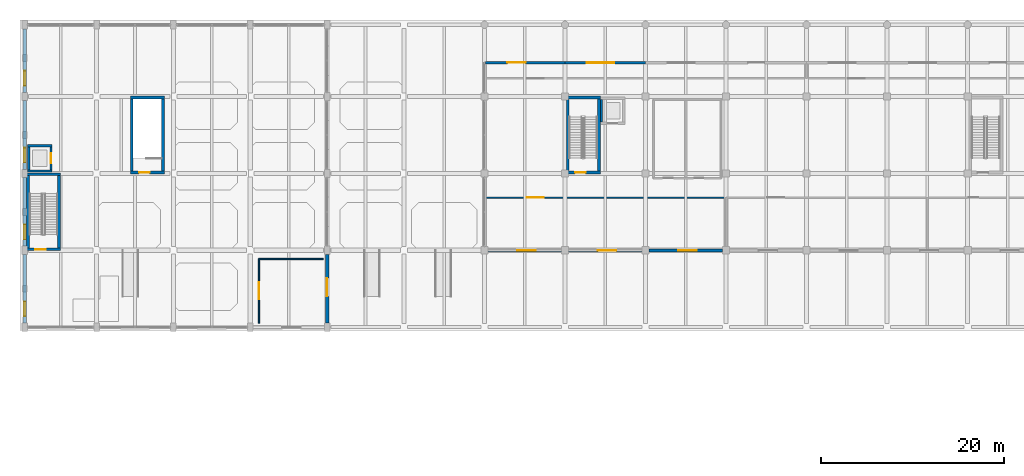
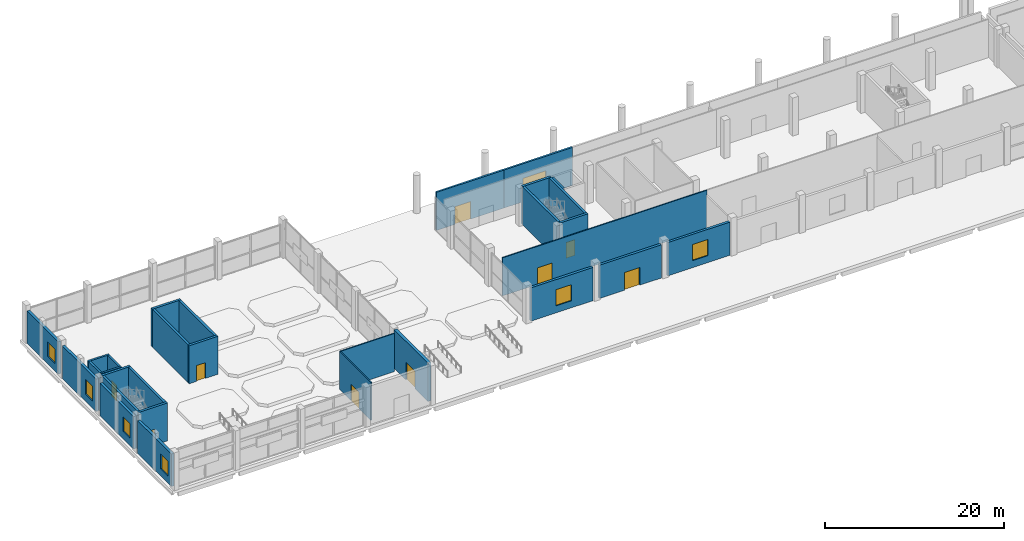
# One storey, part 20 of 34: 30 walls, 9 doors, 7 windows, 16 openings.
"""IFC4 building model written with IfcOpenShell, lengths in metres."""

import ifcopenshell
import ifcopenshell.guid

model = None  # the IFC model being written
_history = None  # IfcOwnerHistory: only IFC2X3 demands one
_inside = {}  # id of a spatial element -> (the spatial element, [elements in it])
_under = {}  # id of a project, library or spatial element -> (it, [spatial elements below it])
_declared = {}  # id of a project -> (the project, [libraries it declares])
_typed = {}  # id of a type object -> (the type object, [elements of that type])
_made_of = {}  # id of a material, layer set ... -> (it, [elements and type objects made of it])


def new_model(schema):
    """Start an empty IFC model of exactly this schema.

    Asked for "IFC4X3", IfcOpenShell would pick the latest addendum, in which some entities
    have other attributes; the version numbers below select the first issue.
    IFC2X3 requires an IfcOwnerHistory on every rooted entity: one is made here for all.
    """
    global model, _history
    if schema == "IFC4X3":
        model = ifcopenshell.file(schema_version=(4, 3, 0, 0))
    else:
        model = ifcopenshell.file(schema=schema)
    _inside.clear()
    _under.clear()
    _declared.clear()
    _typed.clear()
    _made_of.clear()
    _history = None
    if model.schema == "IFC2X3":
        org = make("IfcOrganization", Name="unknown")
        user = make(
            "IfcPersonAndOrganization",
            ThePerson=make("IfcPerson", FamilyName="unknown"),
            TheOrganization=org,
        )
        app = make(
            "IfcApplication",
            ApplicationDeveloper=org,
            Version="unknown",
            ApplicationFullName="unknown",
            ApplicationIdentifier="unknown",
        )
        _history = make(
            "IfcOwnerHistory",
            OwningUser=user,
            OwningApplication=app,
            ChangeAction="ADDED",
            CreationDate=0,
        )
    return model


def make(cls, **values):
    """One entity of the class cls with the attributes given. An attribute that is None is left unset."""
    return model.create_entity(
        cls, **{name: value for name, value in values.items() if value is not None}
    )


def rooted(cls, **values):
    """An entity with a GlobalId (a new one), such as an element, a storey or a relation."""
    return make(cls, GlobalId=ifcopenshell.guid.new(), OwnerHistory=_history, **values)


def si_unit(unit_type, name, prefix=None):
    """IfcSIUnit, for example si_unit("LENGTHUNIT", "METRE", prefix="MILLI")."""
    return make("IfcSIUnit", UnitType=unit_type, Prefix=prefix, Name=name)


def assignment(units):
    """IfcUnitAssignment: the units of a project."""
    return None if units is None else make("IfcUnitAssignment", Units=units)


def point(xyz):
    """IfcCartesianPoint."""
    return None if xyz is None else make("IfcCartesianPoint", Coordinates=xyz)


def direction(xyz):
    """IfcDirection."""
    return None if xyz is None else make("IfcDirection", DirectionRatios=xyz)


def frame(location, z_axis=None, x_axis=None):
    """IfcAxis2Placement3D, a coordinate frame: its origin and axes. An axis left out is left unset."""
    return make(
        "IfcAxis2Placement3D",
        Location=point(location),
        Axis=direction(z_axis),
        RefDirection=direction(x_axis),
    )


def frame_2d(location, x_axis=None):
    """IfcAxis2Placement2D, a coordinate frame in the plane: its origin and x axis."""
    return make(
        "IfcAxis2Placement2D", Location=point(location), RefDirection=direction(x_axis)
    )


def origin():
    """The frame at (0, 0, 0) with its axes left unset."""
    return frame((0.0, 0.0, 0.0))


def place(relative_to, where):
    """IfcLocalPlacement: puts the frame where relative to a parent placement (None: the world)."""
    return make(
        "IfcLocalPlacement", PlacementRelTo=relative_to, RelativePlacement=where
    )


def context(
    kind, dimensions, precision=None, world=None, true_north=None, identifier=None
):
    """IfcGeometricRepresentationContext, for example the 3D "Model" context."""
    return make(
        "IfcGeometricRepresentationContext",
        ContextIdentifier=identifier,
        ContextType=kind,
        CoordinateSpaceDimension=dimensions,
        Precision=precision,
        WorldCoordinateSystem=world,
        TrueNorth=true_north,
    )


def subcontext(parent, identifier, kind, view, scale=None):
    """IfcGeometricRepresentationSubContext, for example "Body" below "Model"."""
    return make(
        "IfcGeometricRepresentationSubContext",
        ContextIdentifier=identifier,
        ContextType=kind,
        ParentContext=parent,
        TargetScale=scale,
        TargetView=view,
    )


def project(units=None, contexts=None):
    """IfcProject with its units and contexts."""
    return rooted(
        "IfcProject",
        Name="project",
        RepresentationContexts=contexts,
        UnitsInContext=assignment(units),
    )


def spatial(cls, under=None, at=None, **own):
    """A site, building, storey or space (cls), placed at a placement, below another one or the project."""
    s = rooted(cls, ObjectPlacement=at, **own)
    if under is not None:
        _under.setdefault(under.id(), (under, []))[1].append(s)
    return s


def profile(cls, at=None, kind="AREA", **sizes):
    """A parametric profile (cls). Its sizes go by their IFC names, for example OverallWidth=200.0."""
    return make(cls, ProfileType=kind, Position=at, **sizes)


def rectangle(**sizes):
    """IfcRectangleProfileDef."""
    return profile("IfcRectangleProfileDef", **sizes)


def extrude(swept, where, along, depth):
    """IfcExtrudedAreaSolid: the profile swept, set in the frame where, extruded along a direction by depth."""
    return make(
        "IfcExtrudedAreaSolid",
        SweptArea=swept,
        Position=where,
        ExtrudedDirection=direction(along),
        Depth=depth,
    )


def shape(context_of_items, identifier, shape_type, items):
    """IfcShapeRepresentation: the items that make up one representation, for example the "Body"."""
    return make(
        "IfcShapeRepresentation",
        ContextOfItems=context_of_items,
        RepresentationIdentifier=identifier,
        RepresentationType=shape_type,
        Items=items,
    )


def material(Name=None, Category=None):
    """IfcMaterial."""
    return make("IfcMaterial", Name=Name, Category=Category)


def layer(
    of_material, thickness, ventilated=None, Name=None, Category=None, Priority=None
):
    """IfcMaterialLayer: one layer of a wall or slab, of a material (None: an air gap)."""
    return make(
        "IfcMaterialLayer",
        Material=of_material,
        LayerThickness=thickness,
        IsVentilated=ventilated,
        Name=Name,
        Category=Category,
        Priority=Priority,
    )


def layer_set(layers, Name=None):
    """IfcMaterialLayerSet."""
    return make("IfcMaterialLayerSet", MaterialLayers=layers, LayerSetName=Name)


def made_of(thing, what):
    """Note that an element or type object is made of a material, layer set ...; save() writes the relation."""
    if what is not None:
        _made_of.setdefault(what.id(), (what, []))[1].append(thing)
    return thing


def type_object(cls, material=None, **own):
    """A type object (cls), such as IfcWallType, which elements share."""
    return made_of(rooted(cls, **own), material)


def element(
    cls,
    number,
    at=None,
    inside=None,
    cuts=None,
    type_object=None,
    material=None,
    context=None,
    identifier="Body",
    shape_type=None,
    held_by="IfcProductDefinitionShape",
    body=None,
    shapes=None,
    **own,
):
    """One element of the class cls, such as IfcWall. Its Tag is "e" and its number.

    at: its placement. inside: the storey or other place that contains it. cuts: it is an
    opening in that element (IfcRelVoidsElement). A single representation is given by context,
    identifier, shape_type and body (its items); several are given by shapes. held_by: the class
    of the entity that holds the representations. save() writes the other relations.
    """
    e = rooted(cls, Tag="e%d" % number, ObjectPlacement=at, **own)
    if body is not None:
        shapes = [shape(context, identifier, shape_type, body)]
    if shapes is not None:
        e.Representation = make(held_by, Representations=shapes)
    if inside is not None:
        _inside.setdefault(inside.id(), (inside, []))[1].append(e)
    if cuts is not None:
        rooted(
            "IfcRelVoidsElement", RelatingBuildingElement=cuts, RelatedOpeningElement=e
        )
    if type_object is not None:
        _typed.setdefault(type_object.id(), (type_object, []))[1].append(e)
    return made_of(e, material)


def fill(opening, filler):
    """IfcRelFillsElement: the door or window that sits in an opening."""
    return rooted(
        "IfcRelFillsElement",
        RelatingOpeningElement=opening,
        RelatedBuildingElement=filler,
    )


def aggregate(whole, parts):
    """IfcRelAggregates: a whole, such as a stair, and the parts it consists of."""
    return rooted("IfcRelAggregates", RelatingObject=whole, RelatedObjects=parts)


def save(model, path):
    """Write the relations noted so far, then the file.

    IfcRelAggregates (storeys below a building ...), IfcRelContainedInSpatialStructure (elements
    in a storey), IfcRelDefinesByType, IfcRelAssociatesMaterial and IfcRelDeclares: one each for
    every whole, place, type object, material and project.
    """
    for whole, parts in _under.values():
        aggregate(whole, parts)
    for where, things in _inside.values():
        rooted(
            "IfcRelContainedInSpatialStructure",
            RelatedElements=things,
            RelatingStructure=where,
        )
    for kind, things in _typed.values():
        rooted("IfcRelDefinesByType", RelatedObjects=things, RelatingType=kind)
    for what, things in _made_of.values():
        rooted("IfcRelAssociatesMaterial", RelatedObjects=things, RelatingMaterial=what)
    for by, libraries in _declared.values():
        rooted("IfcRelDeclares", RelatingContext=by, RelatedDefinitions=libraries)
    model.write(path)


model = new_model("IFC4")

# Units and contexts
model_context = context("Model", 3, precision=1e-05, world=origin(), true_north=direction((0.0, 1.0)))
body_context = subcontext(model_context, "Body", "Model", "MODEL_VIEW")
ifc_project = project(units=[si_unit("LENGTHUNIT", "METRE"), si_unit("AREAUNIT", "SQUARE_METRE"), si_unit("VOLUMEUNIT", "CUBIC_METRE"), si_unit("PLANEANGLEUNIT", "RADIAN"), si_unit("MASSUNIT", "GRAM", prefix="KILO")], contexts=[model_context])

# Site, building, storey
site_placement = place(None, origin())
site = spatial("IfcSite", under=ifc_project, at=site_placement, CompositionType="ELEMENT")
building_placement = place(site_placement, origin())
building = spatial("IfcBuilding", under=site, at=building_placement, Name="Brinegate Botanical Conservatory", CompositionType="ELEMENT")
storey_placement = place(building_placement, origin())
storey = spatial("IfcBuildingStorey", under=building, at=storey_placement, Name="L01", CompositionType="ELEMENT", Elevation=0.0)

# Wall, opening, door
ifc_material_1 = material(Name="Fujian grey granite ashlar masonry", Category="masonry")
ifc_layer_1 = layer(ifc_material_1, 0.239990234375, Name="Fujian grey granite ashlar masonry", Category="masonry")
ifc_layer_set_1 = layer_set([ifc_layer_1], Name="Fujian grey granite ashlar masonry")
wall_type_1 = type_object("IfcWallType", Name="Wall_EW-240A", PredefinedType="STANDARD", material=ifc_layer_set_1)
wall_1_placement = place(storey_placement, frame((50.889892578125, 107.300048828125, 0.0), z_axis=(0.0, 0.0, 1.0), x_axis=(1.0, 0.0, 0.0)))
wall_1 = element("IfcWall", 1, at=wall_1_placement, inside=storey, type_object=wall_type_1, Name="Visitor north qilou shopfront wall 1", PredefinedType="STANDARD", context=body_context, shape_type="SweptSolid", body=[
    extrude(rectangle(XDim=8.710205078125, YDim=0.239990234375, at=frame_2d((4.35498046875, 0.0))), origin(), (0.0, 0.0, 1.0), 5.179931640625),
])
opening_1_placement = place(wall_1_placement, frame((2.39990234375, 0.0, 0.0)))
opening_1 = element("IfcOpeningElement", 2, at=opening_1_placement, cuts=wall_1, Name="Opening EX-01", PredefinedType="OPENING", context=body_context, shape_type="SweptSolid", body=[
    extrude(rectangle(XDim=2.0, YDim=2.39990234375, at=frame_2d((1.0, 1.199951171875))), frame((0.0, 0.1298828125, 0.0), z_axis=(0.0, -1.0, 0.0), x_axis=(1.0, 0.0, 0.0)), (0.0, 0.0, 1.0), 0.260009765625),
])
ifc_material_2 = material(Name="Anodised aluminium and laminated safety glass", Category="aluminium")
door_type_1 = type_object("IfcDoorType", Name="Door_EX-01", OperationType="NOTDEFINED", PredefinedType="DOOR", material=ifc_material_2)
door_1_placement = place(opening_1_placement, origin())
door_1 = element("IfcDoor", 3, at=door_1_placement, inside=storey, type_object=door_type_1, Name="DR-V3-L01-N1", OperationType="SINGLE_SWING_LEFT", OverallHeight=2.39990234375, OverallWidth=2.0, PredefinedType="DOOR", context=body_context, shape_type="SweptSolid", body=[
    extrude(rectangle(XDim=2.0, YDim=2.39990234375, at=frame_2d((1.0, 1.199951171875))), frame((0.0, 0.02490234375, 0.0), z_axis=(0.0, -1.0, 0.0), x_axis=(1.0, 0.0, 0.0)), (0.0, 0.0, 1.0), 0.050048828125),
])
fill(opening_1, door_1)

# Wall, opening, window
wall_2_placement = place(storey_placement, frame((59.60009765625, 107.300048828125, 0.0), z_axis=(0.0, 0.0, 1.0), x_axis=(1.0, 0.0, 0.0)))
wall_2 = element("IfcWall", 4, at=wall_2_placement, inside=storey, type_object=wall_type_1, Name="Visitor north qilou shopfront wall 2", PredefinedType="STANDARD", context=body_context, shape_type="SweptSolid", body=[
    extrude(rectangle(XDim=8.7998046875, YDim=0.239990234375, at=frame_2d((4.39990234375, 0.0))), origin(), (0.0, 0.0, 1.0), 5.179931640625),
])
opening_2_placement = place(wall_2_placement, frame((2.39990234375, 0.0, 0.800048828125)))
opening_2 = element("IfcOpeningElement", 5, at=opening_2_placement, cuts=wall_2, Name="Opening WN-15", PredefinedType="OPENING", context=body_context, shape_type="SweptSolid", body=[
    extrude(rectangle(XDim=3.0, YDim=2.39990234375, at=frame_2d((1.5, 1.199951171875))), frame((0.0, 0.1298828125, 0.0), z_axis=(0.0, -1.0, 0.0), x_axis=(1.0, 0.0, 0.0)), (0.0, 0.0, 1.0), 0.260009765625),
])
ifc_material_3 = material(Name="Thermally broken aluminium-framed Low-E glass", Category="aluminium")
window_type_1 = type_object("IfcWindowType", Name="Win_WN-15", PartitioningType="TRIPLE_PANEL_VERTICAL", PredefinedType="WINDOW", material=ifc_material_3)
window_1_placement = place(opening_2_placement, origin())
window_1 = element("IfcWindow", 6, at=window_1_placement, inside=storey, type_object=window_type_1, Name="Visitor qilou shopfront window 2", OverallHeight=2.39990234375, OverallWidth=3.0, PartitioningType="TRIPLE_PANEL_VERTICAL", PredefinedType="WINDOW", context=body_context, shape_type="SweptSolid", body=[
    extrude(rectangle(XDim=3.0, YDim=2.39990234375, at=frame_2d((1.5, 1.199951171875))), frame((0.0, 0.030029296875, 0.0), z_axis=(0.0, -1.0, 0.0), x_axis=(1.0, 0.0, 0.0)), (0.0, 0.0, 1.0), 0.06005859375),
])
fill(opening_2, window_1)

ifc_material_4 = material(Name="Insulated Minnan red clay brick masonry", Category="masonry")
ifc_layer_2 = layer(ifc_material_4, 0.320068359375, Name="Insulated Minnan red clay brick masonry", Category="masonry")
ifc_layer_set_2 = layer_set([ifc_layer_2], Name="Insulated Minnan red clay brick masonry")
wall_type_2 = type_object("IfcWallType", Name="Wall_EW-320B", PredefinedType="STANDARD", material=ifc_layer_set_2)
wall_3_placement = place(storey_placement, frame((59.199951171875, 86.800048828125, 0.0), z_axis=(0.0, 0.0, 1.0), x_axis=(-1.0, 0.0, 0.0)))
wall_3 = element("IfcWall", 7, at=wall_3_placement, inside=storey, type_object=wall_type_2, Name="Visitor south brick wall L01.1", PredefinedType="STANDARD", context=body_context, shape_type="SweptSolid", body=[
    extrude(rectangle(XDim=8.0, YDim=0.320068359375, at=frame_2d((4.0, 0.0))), origin(), (0.0, 0.0, 1.0), 4.530029296875),
])
opening_3_placement = place(wall_3_placement, frame((2.800048828125, 0.0, 0.949951171875)))
opening_3 = element("IfcOpeningElement", 8, at=opening_3_placement, cuts=wall_3, Name="Opening WN-11", PredefinedType="OPENING", context=body_context, shape_type="SweptSolid", body=[
    extrude(rectangle(XDim=2.0, YDim=2.199951171875, at=frame_2d((1.0, 1.10009765625))), frame((0.0, 0.169921875, 0.0), z_axis=(0.0, -1.0, 0.0), x_axis=(1.0, 0.0, 0.0)), (0.0, 0.0, 1.0), 0.340087890625),
])
window_type_2 = type_object("IfcWindowType", Name="Win_WN-11", PartitioningType="DOUBLE_PANEL_VERTICAL", PredefinedType="WINDOW", material=ifc_material_3)
window_2_placement = place(opening_3_placement, origin())
window_2 = element("IfcWindow", 9, at=window_2_placement, inside=storey, type_object=window_type_2, Name="Visitor south court window L01.1", OverallHeight=2.199951171875, OverallWidth=2.0, PartitioningType="DOUBLE_PANEL_VERTICAL", PredefinedType="WINDOW", context=body_context, shape_type="SweptSolid", body=[
    extrude(rectangle(XDim=2.0, YDim=2.199951171875, at=frame_2d((1.0, 1.10009765625))), frame((0.0, 0.030029296875, 0.0), z_axis=(0.0, -1.0, 0.0), x_axis=(1.0, 0.0, 0.0)), (0.0, 0.0, 1.0), 0.06005859375),
])
fill(opening_3, window_2)

# Wall, opening, door
wall_4_placement = place(storey_placement, frame((68.0, 86.800048828125, 0.0), z_axis=(0.0, 0.0, 1.0), x_axis=(-1.0, 0.0, 0.0)))
wall_4 = element("IfcWall", 10, at=wall_4_placement, inside=storey, type_object=wall_type_2, Name="Visitor south court portal wall 2", PredefinedType="STANDARD", context=body_context, shape_type="SweptSolid", body=[
    extrude(rectangle(XDim=8.0, YDim=0.320068359375, at=frame_2d((4.0, 0.0))), origin(), (0.0, 0.0, 1.0), 4.530029296875),
])
opening_4_placement = place(wall_4_placement, frame((2.800048828125, 0.0, 0.0)))
opening_4 = element("IfcOpeningElement", 11, at=opening_4_placement, cuts=wall_4, Name="Opening EX-01", PredefinedType="OPENING", context=body_context, shape_type="SweptSolid", body=[
    extrude(rectangle(XDim=2.0, YDim=2.39990234375, at=frame_2d((1.0, 1.199951171875))), frame((0.0, 0.169921875, 0.0), z_axis=(0.0, -1.0, 0.0), x_axis=(1.0, 0.0, 0.0)), (0.0, 0.0, 1.0), 0.340087890625),
])
door_2_placement = place(opening_4_placement, origin())
door_2 = element("IfcDoor", 12, at=door_2_placement, inside=storey, type_object=door_type_1, Name="DR-V3-COURT-2", OperationType="SINGLE_SWING_RIGHT", OverallHeight=2.39990234375, OverallWidth=2.0, PredefinedType="DOOR", context=body_context, shape_type="SweptSolid", body=[
    extrude(rectangle(XDim=2.0, YDim=2.39990234375, at=frame_2d((1.0, 1.199951171875))), frame((0.0, 0.02490234375, 0.0), z_axis=(0.0, -1.0, 0.0), x_axis=(1.0, 0.0, 0.0)), (0.0, 0.0, 1.0), 0.050048828125),
])
fill(opening_4, door_2)

# Wall, opening, window
wall_5_placement = place(storey_placement, frame((76.800048828125, 86.800048828125, 0.0), z_axis=(0.0, 0.0, 1.0), x_axis=(-1.0, 0.0, 0.0)))
wall_5 = element("IfcWall", 13, at=wall_5_placement, inside=storey, type_object=wall_type_2, Name="Visitor south brick wall L01.3", PredefinedType="STANDARD", context=body_context, shape_type="SweptSolid", body=[
    extrude(rectangle(XDim=8.0, YDim=0.320068359375, at=frame_2d((4.0, 0.0))), origin(), (0.0, 0.0, 1.0), 4.530029296875),
])
opening_5_placement = place(wall_5_placement, frame((2.800048828125, 0.0, 0.949951171875)))
opening_5 = element("IfcOpeningElement", 14, at=opening_5_placement, cuts=wall_5, Name="Opening WN-11", PredefinedType="OPENING", context=body_context, shape_type="SweptSolid", body=[
    extrude(rectangle(XDim=2.0, YDim=2.199951171875, at=frame_2d((1.0, 1.10009765625))), frame((0.0, 0.169921875, 0.0), z_axis=(0.0, -1.0, 0.0), x_axis=(1.0, 0.0, 0.0)), (0.0, 0.0, 1.0), 0.340087890625),
])
window_3_placement = place(opening_5_placement, origin())
window_3 = element("IfcWindow", 15, at=window_3_placement, inside=storey, type_object=window_type_2, Name="Visitor south court window L01.3", OverallHeight=2.199951171875, OverallWidth=2.0, PartitioningType="DOUBLE_PANEL_VERTICAL", PredefinedType="WINDOW", context=body_context, shape_type="SweptSolid", body=[
    extrude(rectangle(XDim=2.0, YDim=2.199951171875, at=frame_2d((1.0, 1.10009765625))), frame((0.0, 0.030029296875, 0.0), z_axis=(0.0, -1.0, 0.0), x_axis=(1.0, 0.0, 0.0)), (0.0, 0.0, 1.0), 0.06005859375),
])
fill(opening_5, window_3)

ifc_layer_3 = layer(ifc_material_4, 0.340087890625, Name="Insulated Minnan red clay brick masonry", Category="masonry")
ifc_layer_set_3 = layer_set([ifc_layer_3], Name="Insulated Minnan red clay brick masonry")
wall_type_3 = type_object("IfcWallType", Name="Wall_EW-340B", PredefinedType="STANDARD", material=ifc_layer_set_3)
wall_6_placement = place(storey_placement, frame((0.550048828125, 78.85009765625, 0.0), z_axis=(0.0, 0.0, 1.0), x_axis=(0.0, 1.0, 0.0)))
wall_6 = element("IfcWall", 16, at=wall_6_placement, inside=storey, type_object=wall_type_3, Name="Conservatory west red-brick wall L01.1", PredefinedType="STANDARD", context=body_context, shape_type="SweptSolid", body=[
    extrude(rectangle(XDim=7.5, YDim=0.340087890625, at=frame_2d((3.75, 0.0))), origin(), (0.0, 0.0, 1.0), 4.429931640625),
])
opening_6_placement = place(wall_6_placement, frame((0.75, 0.0, 1.0)))
opening_6 = element("IfcOpeningElement", 17, at=opening_6_placement, cuts=wall_6, Name="Opening WN-12", PredefinedType="OPENING", context=body_context, shape_type="SweptSolid", body=[
    extrude(rectangle(XDim=1.60009765625, YDim=2.0, at=frame_2d((0.800048828125, 1.0))), frame((0.0, 0.179931640625, 0.0), z_axis=(0.0, -1.0, 0.0), x_axis=(1.0, 0.0, 0.0)), (0.0, 0.0, 1.0), 0.360107421875),
])
window_type_3 = type_object("IfcWindowType", Name="Win_WN-12", PartitioningType="DOUBLE_PANEL_VERTICAL", PredefinedType="WINDOW", material=ifc_material_3)
window_4_placement = place(opening_6_placement, origin())
window_4 = element("IfcWindow", 18, at=window_4_placement, inside=storey, type_object=window_type_3, Name="Conservatory west gallery window L01.1", OverallHeight=2.0, OverallWidth=1.60009765625, PartitioningType="DOUBLE_PANEL_VERTICAL", PredefinedType="WINDOW", context=body_context, shape_type="SweptSolid", body=[
    extrude(rectangle(XDim=1.60009765625, YDim=2.0, at=frame_2d((0.800048828125, 1.0))), frame((0.0, 0.030029296875, 0.0), z_axis=(0.0, -1.0, 0.0), x_axis=(1.0, 0.0, 0.0)), (0.0, 0.0, 1.0), 0.06005859375),
])
fill(opening_6, window_4)

wall_7_placement = place(storey_placement, frame((0.550048828125, 87.25, 0.0), z_axis=(0.0, 0.0, 1.0), x_axis=(0.0, 1.0, 0.0)))
wall_7 = element("IfcWall", 19, at=wall_7_placement, inside=storey, type_object=wall_type_3, Name="Conservatory west red-brick wall L01.2", PredefinedType="STANDARD", context=body_context, shape_type="SweptSolid", body=[
    extrude(rectangle(XDim=7.5, YDim=0.340087890625, at=frame_2d((3.75, 0.0))), origin(), (0.0, 0.0, 1.0), 4.429931640625),
])
opening_7_placement = place(wall_7_placement, frame((0.75, 0.0, 1.0)))
opening_7 = element("IfcOpeningElement", 20, at=opening_7_placement, cuts=wall_7, Name="Opening WN-12", PredefinedType="OPENING", context=body_context, shape_type="SweptSolid", body=[
    extrude(rectangle(XDim=1.60009765625, YDim=2.0, at=frame_2d((0.800048828125, 1.0))), frame((0.0, 0.179931640625, 0.0), z_axis=(0.0, -1.0, 0.0), x_axis=(1.0, 0.0, 0.0)), (0.0, 0.0, 1.0), 0.360107421875),
])
window_5_placement = place(opening_7_placement, origin())
window_5 = element("IfcWindow", 21, at=window_5_placement, inside=storey, type_object=window_type_3, Name="Conservatory west gallery window L01.2", OverallHeight=2.0, OverallWidth=1.60009765625, PartitioningType="DOUBLE_PANEL_VERTICAL", PredefinedType="WINDOW", context=body_context, shape_type="SweptSolid", body=[
    extrude(rectangle(XDim=1.60009765625, YDim=2.0, at=frame_2d((0.800048828125, 1.0))), frame((0.0, 0.030029296875, 0.0), z_axis=(0.0, -1.0, 0.0), x_axis=(1.0, 0.0, 0.0)), (0.0, 0.0, 1.0), 0.06005859375),
])
fill(opening_7, window_5)

wall_8_placement = place(storey_placement, frame((0.550048828125, 95.64990234375, 0.0), z_axis=(0.0, 0.0, 1.0), x_axis=(0.0, 1.0, 0.0)))
wall_8 = element("IfcWall", 22, at=wall_8_placement, inside=storey, type_object=wall_type_3, Name="Conservatory west red-brick wall L01.3", PredefinedType="STANDARD", context=body_context, shape_type="SweptSolid", body=[
    extrude(rectangle(XDim=7.5, YDim=0.340087890625, at=frame_2d((3.75, 0.0))), origin(), (0.0, 0.0, 1.0), 4.429931640625),
])
opening_8_placement = place(wall_8_placement, frame((0.75, 0.0, 1.0)))
opening_8 = element("IfcOpeningElement", 23, at=opening_8_placement, cuts=wall_8, Name="Opening WN-12", PredefinedType="OPENING", context=body_context, shape_type="SweptSolid", body=[
    extrude(rectangle(XDim=1.60009765625, YDim=2.0, at=frame_2d((0.800048828125, 1.0))), frame((0.0, 0.179931640625, 0.0), z_axis=(0.0, -1.0, 0.0), x_axis=(1.0, 0.0, 0.0)), (0.0, 0.0, 1.0), 0.360107421875),
])
window_6_placement = place(opening_8_placement, origin())
window_6 = element("IfcWindow", 24, at=window_6_placement, inside=storey, type_object=window_type_3, Name="Conservatory west gallery window L01.3", OverallHeight=2.0, OverallWidth=1.60009765625, PartitioningType="DOUBLE_PANEL_VERTICAL", PredefinedType="WINDOW", context=body_context, shape_type="SweptSolid", body=[
    extrude(rectangle(XDim=1.60009765625, YDim=2.0, at=frame_2d((0.800048828125, 1.0))), frame((0.0, 0.030029296875, 0.0), z_axis=(0.0, -1.0, 0.0), x_axis=(1.0, 0.0, 0.0)), (0.0, 0.0, 1.0), 0.06005859375),
])
fill(opening_8, window_6)

wall_9_placement = place(storey_placement, frame((0.550048828125, 104.050048828125, 0.0), z_axis=(0.0, 0.0, 1.0), x_axis=(0.0, 1.0, 0.0)))
wall_9 = element("IfcWall", 25, at=wall_9_placement, inside=storey, type_object=wall_type_3, Name="Conservatory west red-brick wall L01.4", PredefinedType="STANDARD", context=body_context, shape_type="SweptSolid", body=[
    extrude(rectangle(XDim=6.949951171875, YDim=0.340087890625, at=frame_2d((3.47509765625, 0.0))), origin(), (0.0, 0.0, 1.0), 4.429931640625),
])
opening_9_placement = place(wall_9_placement, frame((0.75, 0.0, 1.0)))
opening_9 = element("IfcOpeningElement", 26, at=opening_9_placement, cuts=wall_9, Name="Opening WN-12", PredefinedType="OPENING", context=body_context, shape_type="SweptSolid", body=[
    extrude(rectangle(XDim=1.60009765625, YDim=2.0, at=frame_2d((0.800048828125, 1.0))), frame((0.0, 0.179931640625, 0.0), z_axis=(0.0, -1.0, 0.0), x_axis=(1.0, 0.0, 0.0)), (0.0, 0.0, 1.0), 0.360107421875),
])
window_7_placement = place(opening_9_placement, origin())
window_7 = element("IfcWindow", 27, at=window_7_placement, inside=storey, type_object=window_type_3, Name="Conservatory west gallery window L01.4", OverallHeight=2.0, OverallWidth=1.60009765625, PartitioningType="DOUBLE_PANEL_VERTICAL", PredefinedType="WINDOW", context=body_context, shape_type="SweptSolid", body=[
    extrude(rectangle(XDim=1.60009765625, YDim=2.0, at=frame_2d((0.800048828125, 1.0))), frame((0.0, 0.030029296875, 0.0), z_axis=(0.0, -1.0, 0.0), x_axis=(1.0, 0.0, 0.0)), (0.0, 0.0, 1.0), 0.06005859375),
])
fill(opening_9, window_7)

# Wall, opening, door
ifc_layer_4 = layer(ifc_material_1, 0.3798828125, Name="Fujian grey granite ashlar masonry", Category="masonry")
ifc_layer_set_4 = layer_set([ifc_layer_4], Name="Fujian grey granite ashlar masonry")
wall_type_4 = type_object("IfcWallType", Name="Wall_EW-380G", PredefinedType="SOLIDWALL", material=ifc_layer_set_4)
wall_10_placement = place(storey_placement, frame((33.60009765625, 86.35009765625, 0.0), z_axis=(0.0, 0.0, 1.0), x_axis=(0.0, -1.0, 0.0)))
wall_10 = element("IfcWall", 28, at=wall_10_placement, inside=storey, type_object=wall_type_4, Name="Conservatory east forecourt portal wall", PredefinedType="SOLIDWALL", context=body_context, shape_type="SweptSolid", body=[
    extrude(rectangle(XDim=7.5, YDim=0.3798828125, at=frame_2d((3.75, 0.0))), origin(), (0.0, 0.0, 1.0), 5.239990234375),
])
opening_10_placement = place(wall_10_placement, frame((2.60009765625, 0.0, 0.0)))
opening_10 = element("IfcOpeningElement", 29, at=opening_10_placement, cuts=wall_10, Name="Opening EX-01", PredefinedType="OPENING", context=body_context, shape_type="SweptSolid", body=[
    extrude(rectangle(XDim=2.0, YDim=2.39990234375, at=frame_2d((1.0, 1.199951171875))), frame((0.0, 0.199951171875, 0.0), z_axis=(0.0, -1.0, 0.0), x_axis=(1.0, 0.0, 0.0)), (0.0, 0.0, 1.0), 0.39990234375),
])
door_3_placement = place(opening_10_placement, origin())
door_3 = element("IfcDoor", 30, at=door_3_placement, inside=storey, type_object=door_type_1, Name="DR-V1-ENT-E", OperationType="SINGLE_SWING_RIGHT", OverallHeight=2.39990234375, OverallWidth=2.0, PredefinedType="DOOR", context=body_context, shape_type="SweptSolid", body=[
    extrude(rectangle(XDim=2.0, YDim=2.39990234375, at=frame_2d((1.0, 1.199951171875))), frame((0.0, 0.02490234375, 0.0), z_axis=(0.0, -1.0, 0.0), x_axis=(1.0, 0.0, 0.0)), (0.0, 0.0, 1.0), 0.050048828125),
])
fill(opening_10, door_3)

ifc_material_5 = material(Name="Gypsum-clad acoustic steel-stud partition", Category="steel")
ifc_layer_5 = layer(ifc_material_5, 0.14501953125, Name="Gypsum-clad acoustic steel-stud partition", Category="steel")
ifc_layer_set_5 = layer_set([ifc_layer_5], Name="Gypsum-clad acoustic steel-stud partition")
wall_type_5 = type_object("IfcWallType", Name="Wall_PW-150", PredefinedType="PARTITIONING", material=ifc_layer_set_5)
wall_11_placement = place(storey_placement, frame((26.14990234375, 78.85009765625, 0.0), z_axis=(0.0, 0.0, 1.0), x_axis=(0.0, 1.0, 0.0)))
wall_11 = element("IfcWall", 31, at=wall_11_placement, inside=storey, type_object=wall_type_5, Name="Interior partition P-L01-V1-VESTW", PredefinedType="PARTITIONING", context=body_context, shape_type="SweptSolid", body=[
    extrude(rectangle(XDim=7.0, YDim=0.14501953125, at=frame_2d((3.5, 0.0))), origin(), (0.0, 0.0, 1.0), 5.179931640625),
])
opening_11_placement = place(wall_11_placement, frame((2.60009765625, 0.0, 0.0)))
opening_11 = element("IfcOpeningElement", 32, at=opening_11_placement, cuts=wall_11, Name="Opening DR-DBL1", PredefinedType="OPENING", context=body_context, shape_type="SweptSolid", body=[
    extrude(rectangle(XDim=1.85009765625, YDim=2.25, at=frame_2d((0.925048828125, 1.125))), frame((0.0, 0.08251953125, 0.0), z_axis=(0.0, -1.0, 0.0), x_axis=(1.0, 0.0, 0.0)), (0.0, 0.0, 1.0), 0.1650390625),
])
ifc_material_6 = material(Name="Anodised aluminium and safety glass", Category="aluminium")
door_type_2 = type_object("IfcDoorType", Name="Door_DR-DBL1", OperationType="NOTDEFINED", PredefinedType="DOOR", material=ifc_material_6)
door_4_placement = place(opening_11_placement, origin())
door_4 = element("IfcDoor", 33, at=door_4_placement, inside=storey, type_object=door_type_2, Name="DR-P-L01-V1-VESTW-1", OperationType="SINGLE_SWING_LEFT", OverallHeight=2.25, OverallWidth=1.85009765625, PredefinedType="DOOR", context=body_context, shape_type="SweptSolid", body=[
    extrude(rectangle(XDim=1.85009765625, YDim=2.25, at=frame_2d((0.925048828125, 1.125))), frame((0.0, 0.02490234375, 0.0), z_axis=(0.0, -1.0, 0.0), x_axis=(1.0, 0.0, 0.0)), (0.0, 0.0, 1.0), 0.050048828125),
])
fill(opening_11, door_4)

# Wall
wall_12_placement = place(storey_placement, frame((26.14990234375, 85.85009765625, 0.0), z_axis=(0.0, 0.0, 1.0), x_axis=(1.0, 0.0, 0.0)))
element("IfcWall", 34, at=wall_12_placement, inside=storey, type_object=wall_type_5, Name="Interior partition P-L01-V1-VESTN", PredefinedType="PARTITIONING", context=body_context, shape_type="SweptSolid", body=[
    extrude(rectangle(XDim=7.0, YDim=0.14501953125, at=frame_2d((3.5, 0.0))), origin(), (0.0, 0.0, 1.0), 5.179931640625),
])

# Wall, opening, door
wall_13_placement = place(storey_placement, frame((50.919921875, 92.550048828125, 0.0), z_axis=(0.0, 0.0, 1.0), x_axis=(1.0, 0.0, 0.0)))
wall_13 = element("IfcWall", 35, at=wall_13_placement, inside=storey, type_object=wall_type_5, Name="Interior partition P-L01-V3-ENT", PredefinedType="PARTITIONING", context=body_context, shape_type="SweptSolid", body=[
    extrude(rectangle(XDim=26.280029296875, YDim=0.14501953125, at=frame_2d((13.14013671875, 0.0))), origin(), (0.0, 0.0, 1.0), 5.179931640625),
])
opening_12_placement = place(wall_13_placement, frame((4.5, 0.0, 0.0)))
opening_12 = element("IfcOpeningElement", 36, at=opening_12_placement, cuts=wall_13, Name="Opening DR-DBL1", PredefinedType="OPENING", context=body_context, shape_type="SweptSolid", body=[
    extrude(rectangle(XDim=1.85009765625, YDim=2.25, at=frame_2d((0.925048828125, 1.125))), frame((0.0, 0.08251953125, 0.0), z_axis=(0.0, -1.0, 0.0), x_axis=(1.0, 0.0, 0.0)), (0.0, 0.0, 1.0), 0.1650390625),
])
door_5_placement = place(opening_12_placement, origin())
door_5 = element("IfcDoor", 37, at=door_5_placement, inside=storey, type_object=door_type_2, Name="DR-P-L01-V3-ENT-1", OperationType="SINGLE_SWING_LEFT", OverallHeight=2.25, OverallWidth=1.85009765625, PredefinedType="DOOR", context=body_context, shape_type="SweptSolid", body=[
    extrude(rectangle(XDim=1.85009765625, YDim=2.25, at=frame_2d((0.925048828125, 1.125))), frame((0.0, 0.02490234375, 0.0), z_axis=(0.0, -1.0, 0.0), x_axis=(1.0, 0.0, 0.0)), (0.0, 0.0, 1.0), 0.050048828125),
])
fill(opening_12, door_5)

# Walls
ifc_material_7 = material(Name="Concrete C40/50", Category="concrete")
ifc_layer_6 = layer(ifc_material_7, 0.25, Name="Concrete C40/50", Category="concrete")
ifc_layer_set_6 = layer_set([ifc_layer_6], Name="Concrete C40/50")
wall_type_6 = type_object("IfcWallType", Name="Wall_SW-250", PredefinedType="SHEAR", material=ifc_layer_set_6)
wall_14_placement = place(storey_placement, frame((63.574951171875, 100.800048828125, 0.0), z_axis=(0.0, 0.0, 1.0), x_axis=(0.0, 1.0, 0.0)))
element("IfcWall", 38, at=wall_14_placement, inside=storey, type_object=wall_type_6, Name="Lift shaft LF5 shear wall L01 W", PredefinedType="SHEAR", context=body_context, shape_type="SweptSolid", body=[
    extrude(rectangle(XDim=2.5, YDim=0.25, at=frame_2d((1.25, 0.0))), origin(), (0.0, 0.0, 1.0), 5.179931640625),
])
for number, where, z_axis, x_axis, name in (
    (39, (0.85009765625, 95.47509765625, 0.0), (0.0, 0.0, 1.0), (1.0, 0.0, 0.0), "Lift shaft LF7 shear wall L01 S"),
    (40, (0.85009765625, 98.22509765625, 0.0), (0.0, 0.0, 1.0), (1.0, 0.0, 0.0), "Lift shaft LF7 shear wall L01 N"),
):
    element("IfcWall", number, at=place(storey_placement, frame(where, z_axis=z_axis, x_axis=x_axis)), inside=storey, type_object=wall_type_6, Name=name, PredefinedType="SHEAR", context=body_context, shape_type="SweptSolid", body=[
        extrude(rectangle(XDim=2.699951171875, YDim=0.25, at=frame_2d((1.35009765625, 0.0))), origin(), (0.0, 0.0, 1.0), 5.179931640625),
    ])
wall_15_placement = place(storey_placement, frame((0.97509765625, 95.60009765625, 0.0), z_axis=(0.0, 0.0, 1.0), x_axis=(0.0, 1.0, 0.0)))
element("IfcWall", 41, at=wall_15_placement, inside=storey, type_object=wall_type_6, Name="Lift shaft LF7 shear wall L01 W", PredefinedType="SHEAR", context=body_context, shape_type="SweptSolid", body=[
    extrude(rectangle(XDim=2.5, YDim=0.25, at=frame_2d((1.25, 0.0))), origin(), (0.0, 0.0, 1.0), 5.179931640625),
])

# Wall, opening, door
wall_16_placement = place(storey_placement, frame((3.425048828125, 95.60009765625, 0.0), z_axis=(0.0, 0.0, 1.0), x_axis=(0.0, 1.0, 0.0)))
wall_16 = element("IfcWall", 42, at=wall_16_placement, inside=storey, type_object=wall_type_6, Name="Lift shaft LF7 shear wall L01 E", PredefinedType="SHEAR", context=body_context, shape_type="SweptSolid", body=[
    extrude(rectangle(XDim=2.5, YDim=0.25, at=frame_2d((1.25, 0.0))), origin(), (0.0, 0.0, 1.0), 5.179931640625),
])
opening_13_placement = place(wall_16_placement, frame((0.7099609375, 0.0, 0.0)))
opening_13 = element("IfcOpeningElement", 43, at=opening_13_placement, cuts=wall_16, Name="Opening LD-07", PredefinedType="OPENING", context=body_context, shape_type="SweptSolid", body=[
    extrude(rectangle(XDim=1.080078125, YDim=2.179931640625, at=frame_2d((0.5400390625, 1.08984375))), frame((0.0, 0.135009765625, 0.0), z_axis=(0.0, -1.0, 0.0), x_axis=(1.0, 0.0, 0.0)), (0.0, 0.0, 1.0), 0.27001953125),
])
ifc_material_8 = material(Name="Glazed stainless steel S355 landing door", Category="steel")
door_type_3 = type_object("IfcDoorType", Name="Door_LD-07", OperationType="SLIDING_TO_LEFT", PredefinedType="DOOR", material=ifc_material_8)
door_6_placement = place(opening_13_placement, origin())
door_6 = element("IfcDoor", 44, at=door_6_placement, inside=storey, type_object=door_type_3, Name="LD-LF7-L01", OperationType="SLIDING_TO_LEFT", OverallHeight=2.179931640625, OverallWidth=1.080078125, PredefinedType="DOOR", context=body_context, shape_type="SweptSolid", body=[
    extrude(rectangle(XDim=1.080078125, YDim=2.179931640625, at=frame_2d((0.5400390625, 1.08984375))), frame((0.0, 0.02490234375, 0.0), z_axis=(0.0, -1.0, 0.0), x_axis=(1.0, 0.0, 0.0)), (0.0, 0.0, 1.0), 0.050048828125),
])
fill(opening_13, door_6)

ifc_layer_7 = layer(ifc_material_7, 0.300048828125, Name="Concrete C40/50", Category="concrete")
ifc_layer_set_7 = layer_set([ifc_layer_7], Name="Concrete C40/50")
wall_type_7 = type_object("IfcWallType", Name="Wall_SW-300", PredefinedType="SHEAR", material=ifc_layer_set_7)
wall_17_placement = place(storey_placement, frame((59.75, 95.300048828125, 0.0), z_axis=(0.0, 0.0, 1.0), x_axis=(1.0, 0.0, 0.0)))
wall_17 = element("IfcWall", 45, at=wall_17_placement, inside=storey, type_object=wall_type_7, Name="Stairwell ST3 shear wall L01 S", PredefinedType="SHEAR", context=body_context, shape_type="SweptSolid", body=[
    extrude(rectangle(XDim=3.699951171875, YDim=0.300048828125, at=frame_2d((1.85009765625, 0.0))), origin(), (0.0, 0.0, 1.0), 5.179931640625),
])
opening_14_placement = place(wall_17_placement, frame((0.949951171875, 0.0, 0.0)))
opening_14 = element("IfcOpeningElement", 46, at=opening_14_placement, cuts=wall_17, Name="Opening FD-B3", PredefinedType="OPENING", context=body_context, shape_type="SweptSolid", body=[
    extrude(rectangle(XDim=1.14990234375, YDim=2.14990234375, at=frame_2d((0.574951171875, 1.074951171875))), frame((0.0, 0.159912109375, 0.0), z_axis=(0.0, -1.0, 0.0), x_axis=(1.0, 0.0, 0.0)), (0.0, 0.0, 1.0), 0.320068359375),
])
ifc_material_9 = material(Name="Steel stairwell fire door", Category="steel")
door_type_4 = type_object("IfcDoorType", Name="Door_FD-B3", OperationType="NOTDEFINED", PredefinedType="DOOR", material=ifc_material_9)
door_7_placement = place(opening_14_placement, origin())
door_7 = element("IfcDoor", 47, at=door_7_placement, inside=storey, type_object=door_type_4, Name="DR-ST-ST3-L01", OperationType="SINGLE_SWING_LEFT", OverallHeight=2.14990234375, OverallWidth=1.14990234375, PredefinedType="DOOR", context=body_context, shape_type="SweptSolid", body=[
    extrude(rectangle(XDim=1.14990234375, YDim=2.14990234375, at=frame_2d((0.574951171875, 1.074951171875))), frame((0.0, 0.02490234375, 0.0), z_axis=(0.0, -1.0, 0.0), x_axis=(1.0, 0.0, 0.0)), (0.0, 0.0, 1.0), 0.050048828125),
])
fill(opening_14, door_7)

# Walls
wall_18_placement = place(storey_placement, frame((59.75, 103.5, 0.0), z_axis=(0.0, 0.0, 1.0), x_axis=(1.0, 0.0, 0.0)))
element("IfcWall", 48, at=wall_18_placement, inside=storey, type_object=wall_type_7, Name="Stairwell ST3 shear wall L01 N", PredefinedType="SHEAR", context=body_context, shape_type="SweptSolid", body=[
    extrude(rectangle(XDim=3.699951171875, YDim=0.300048828125, at=frame_2d((1.85009765625, 0.0))), origin(), (0.0, 0.0, 1.0), 5.179931640625),
])
for number, where, z_axis, x_axis, name in (
    (49, (59.89990234375, 95.449951171875, 0.0), (0.0, 0.0, 1.0), (0.0, 1.0, 0.0), "Stairwell ST3 shear wall L01 W"),
    (50, (63.300048828125, 95.449951171875, 0.0), (0.0, 0.0, 1.0), (0.0, 1.0, 0.0), "Stairwell ST3 shear wall L01 E"),
):
    element("IfcWall", number, at=place(storey_placement, frame(where, z_axis=z_axis, x_axis=x_axis)), inside=storey, type_object=wall_type_7, Name=name, PredefinedType="SHEAR", context=body_context, shape_type="SweptSolid", body=[
        extrude(rectangle(XDim=7.900146484375, YDim=0.300048828125, at=frame_2d((3.9501953125, 0.0))), origin(), (0.0, 0.0, 1.0), 5.179931640625),
    ])

# Wall, opening, door
wall_19_placement = place(storey_placement, frame((0.75, 86.89990234375, 0.0), z_axis=(0.0, 0.0, 1.0), x_axis=(1.0, 0.0, 0.0)))
wall_19 = element("IfcWall", 51, at=wall_19_placement, inside=storey, type_object=wall_type_7, Name="Stairwell ST7 shear wall L01 S", PredefinedType="SHEAR", context=body_context, shape_type="SweptSolid", body=[
    extrude(rectangle(XDim=3.699951171875, YDim=0.300048828125, at=frame_2d((1.85009765625, 0.0))), origin(), (0.0, 0.0, 1.0), 5.179931640625),
])
opening_15_placement = place(wall_19_placement, frame((0.949951171875, 0.0, 0.0)))
opening_15 = element("IfcOpeningElement", 52, at=opening_15_placement, cuts=wall_19, Name="Opening FD-B1", PredefinedType="OPENING", context=body_context, shape_type="SweptSolid", body=[
    extrude(rectangle(XDim=1.14990234375, YDim=2.14990234375, at=frame_2d((0.574951171875, 1.074951171875))), frame((0.0, 0.159912109375, 0.0), z_axis=(0.0, -1.0, 0.0), x_axis=(1.0, 0.0, 0.0)), (0.0, 0.0, 1.0), 0.320068359375),
])
ifc_material_10 = material(Name="Steel smoke-proof fire door assembly", Category="steel")
door_type_5 = type_object("IfcDoorType", Name="Door_FD-B1", OperationType="NOTDEFINED", PredefinedType="DOOR", material=ifc_material_10)
door_8_placement = place(opening_15_placement, origin())
door_8 = element("IfcDoor", 53, at=door_8_placement, inside=storey, type_object=door_type_5, Name="DR-ST-ST7-L01", OperationType="SINGLE_SWING_LEFT", OverallHeight=2.14990234375, OverallWidth=1.14990234375, PredefinedType="DOOR", context=body_context, shape_type="SweptSolid", body=[
    extrude(rectangle(XDim=1.14990234375, YDim=2.14990234375, at=frame_2d((0.574951171875, 1.074951171875))), frame((0.0, 0.02490234375, 0.0), z_axis=(0.0, -1.0, 0.0), x_axis=(1.0, 0.0, 0.0)), (0.0, 0.0, 1.0), 0.050048828125),
])
fill(opening_15, door_8)

# Walls
wall_20_placement = place(storey_placement, frame((0.75, 95.10009765625, 0.0), z_axis=(0.0, 0.0, 1.0), x_axis=(1.0, 0.0, 0.0)))
element("IfcWall", 54, at=wall_20_placement, inside=storey, type_object=wall_type_7, Name="Stairwell ST7 shear wall L01 N", PredefinedType="SHEAR", context=body_context, shape_type="SweptSolid", body=[
    extrude(rectangle(XDim=3.699951171875, YDim=0.300048828125, at=frame_2d((1.85009765625, 0.0))), origin(), (0.0, 0.0, 1.0), 5.179931640625),
])
for number, where, z_axis, x_axis, name in (
    (55, (0.89990234375, 87.050048828125, 0.0), (0.0, 0.0, 1.0), (0.0, 1.0, 0.0), "Stairwell ST7 shear wall L01 W"),
    (56, (4.300048828125, 87.050048828125, 0.0), (0.0, 0.0, 1.0), (0.0, 1.0, 0.0), "Stairwell ST7 shear wall L01 E"),
):
    element("IfcWall", number, at=place(storey_placement, frame(where, z_axis=z_axis, x_axis=x_axis)), inside=storey, type_object=wall_type_7, Name=name, PredefinedType="SHEAR", context=body_context, shape_type="SweptSolid", body=[
        extrude(rectangle(XDim=7.89990234375, YDim=0.300048828125, at=frame_2d((3.949951171875, 0.0))), origin(), (0.0, 0.0, 1.0), 5.179931640625),
    ])

# Wall, opening, door
wall_21_placement = place(storey_placement, frame((12.10009765625, 95.300048828125, 0.0), z_axis=(0.0, 0.0, 1.0), x_axis=(1.0, 0.0, 0.0)))
wall_21 = element("IfcWall", 57, at=wall_21_placement, inside=storey, type_object=wall_type_7, Name="Stairwell ST8 shear wall L01 S", PredefinedType="SHEAR", context=body_context, shape_type="SweptSolid", body=[
    extrude(rectangle(XDim=3.699951171875, YDim=0.300048828125, at=frame_2d((1.85009765625, 0.0))), origin(), (0.0, 0.0, 1.0), 5.179931640625),
])
opening_16_placement = place(wall_21_placement, frame((0.949951171875, 0.0, 0.0)))
opening_16 = element("IfcOpeningElement", 58, at=opening_16_placement, cuts=wall_21, Name="Opening FD-B1", PredefinedType="OPENING", context=body_context, shape_type="SweptSolid", body=[
    extrude(rectangle(XDim=1.14990234375, YDim=2.14990234375, at=frame_2d((0.574951171875, 1.074951171875))), frame((0.0, 0.159912109375, 0.0), z_axis=(0.0, -1.0, 0.0), x_axis=(1.0, 0.0, 0.0)), (0.0, 0.0, 1.0), 0.320068359375),
])
door_9_placement = place(opening_16_placement, origin())
door_9 = element("IfcDoor", 59, at=door_9_placement, inside=storey, type_object=door_type_5, Name="DR-ST-ST8-L01", OperationType="SINGLE_SWING_LEFT", OverallHeight=2.14990234375, OverallWidth=1.14990234375, PredefinedType="DOOR", context=body_context, shape_type="SweptSolid", body=[
    extrude(rectangle(XDim=1.14990234375, YDim=2.14990234375, at=frame_2d((0.574951171875, 1.074951171875))), frame((0.0, 0.02490234375, 0.0), z_axis=(0.0, -1.0, 0.0), x_axis=(1.0, 0.0, 0.0)), (0.0, 0.0, 1.0), 0.050048828125),
])
fill(opening_16, door_9)

# Walls
wall_22_placement = place(storey_placement, frame((12.10009765625, 103.5, 0.0), z_axis=(0.0, 0.0, 1.0), x_axis=(1.0, 0.0, 0.0)))
element("IfcWall", 60, at=wall_22_placement, inside=storey, type_object=wall_type_7, Name="Stairwell ST8 shear wall L01 N", PredefinedType="SHEAR", context=body_context, shape_type="SweptSolid", body=[
    extrude(rectangle(XDim=3.699951171875, YDim=0.300048828125, at=frame_2d((1.85009765625, 0.0))), origin(), (0.0, 0.0, 1.0), 5.179931640625),
])
for number, where, z_axis, x_axis, name in (
    (61, (12.25, 95.449951171875, 0.0), (0.0, 0.0, 1.0), (0.0, 1.0, 0.0), "Stairwell ST8 shear wall L01 W"),
    (62, (15.64990234375, 95.449951171875, 0.0), (0.0, 0.0, 1.0), (0.0, 1.0, 0.0), "Stairwell ST8 shear wall L01 E"),
):
    element("IfcWall", number, at=place(storey_placement, frame(where, z_axis=z_axis, x_axis=x_axis)), inside=storey, type_object=wall_type_7, Name=name, PredefinedType="SHEAR", context=body_context, shape_type="SweptSolid", body=[
        extrude(rectangle(XDim=7.900146484375, YDim=0.300048828125, at=frame_2d((3.9501953125, 0.0))), origin(), (0.0, 0.0, 1.0), 5.179931640625),
    ])

save(model, "model.ifc")
